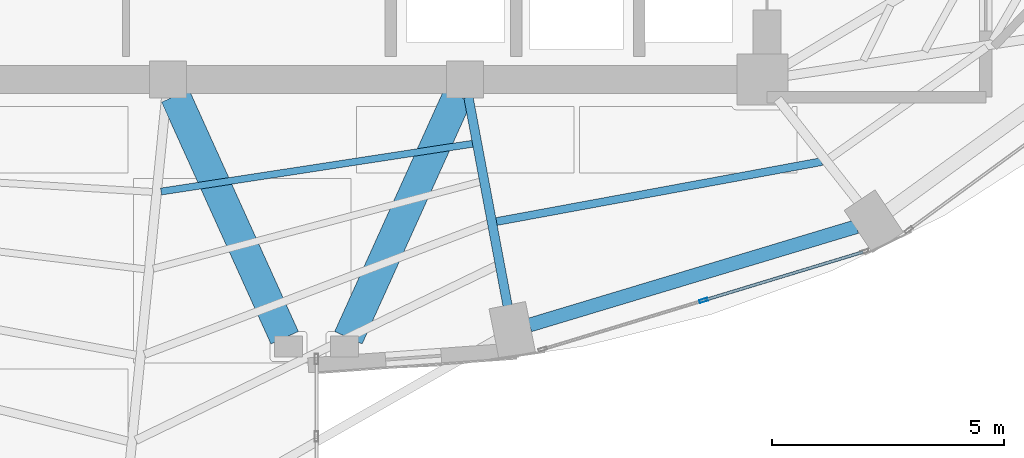
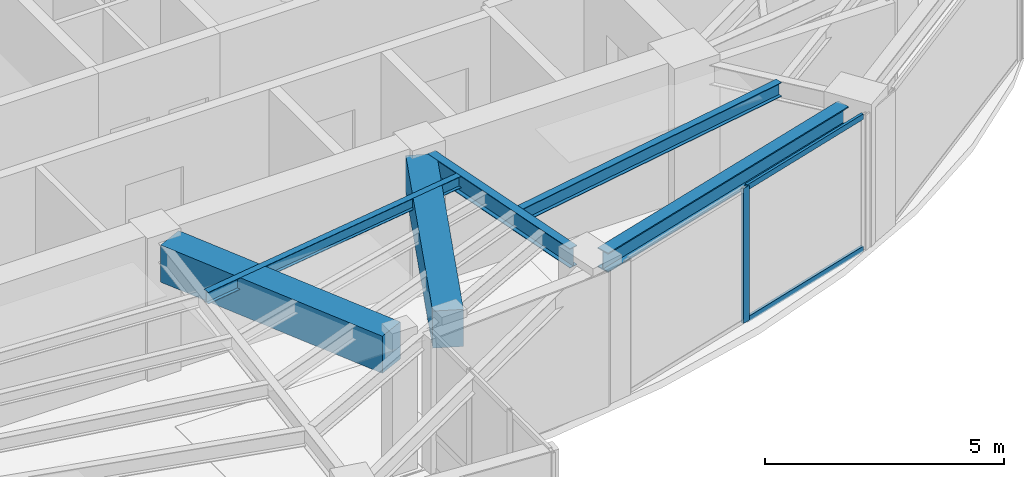
# One storey, part 7 of 23: 6 beams, 3 members, 1 element without a shape of its own.
"""IFC4 building model written with IfcOpenShell, lengths in metres."""

from ifc_helpers import new_model, si_unit, direction, frame, origin, origin_2d, place, context, subcontext, project, spatial, rectangle, hollow_rectangle, i_section, extrude, material, layer, layer_set, material_profile, profile_set, type_object, element, aggregate, save


model = new_model("IFC4")

# Units and contexts
model_context = context("Model", 3, precision=1e-05, world=origin(), true_north=direction((0.0, 1.0)))
body_context = subcontext(model_context, "Body", "Model", "MODEL_VIEW")
ifc_project = project(units=[si_unit("LENGTHUNIT", "METRE"), si_unit("AREAUNIT", "SQUARE_METRE"), si_unit("VOLUMEUNIT", "CUBIC_METRE"), si_unit("PLANEANGLEUNIT", "RADIAN"), si_unit("MASSUNIT", "GRAM", prefix="KILO")], contexts=[model_context])

# Site, building, storey
site_placement = place(None, origin())
site = spatial("IfcSite", under=ifc_project, at=site_placement, CompositionType="ELEMENT")
building_placement = place(site_placement, origin())
building = spatial("IfcBuilding", under=site, at=building_placement, Name="Lazwardi Medical Tower", CompositionType="ELEMENT")
storey_placement = place(building_placement, frame((0.0, 0.0, 209.424072265625)))
storey = spatial("IfcBuildingStorey", under=building, at=storey_placement, Name="L54", CompositionType="ELEMENT", Elevation=209.424072265625)

# Beams
ifc_material_1 = material(Name="Concrete C60/75", Category="concrete")
ifc_material_profile_1 = material_profile(ifc_material_1, rectangle(XDim=0.64990234375, YDim=0.949951171875, at=origin_2d()), Name="RC 650x950")
ifc_profile_set_1 = profile_set([ifc_material_profile_1], Name="Concrete C60/75")
beam_type_1 = type_object("IfcBeamType", Name="BM-CB-RC2", PredefinedType="LINTEL", material=ifc_profile_set_1)
for number, where, z_axis, x_axis, name in (
    (1, (32.95849609375, 20.04931640625, 2.972900390625), (0.412019279944, -0.911175127489, 0.0), (0.911175127489, 0.412019279944, 0.0), "Core coupling lintel CB-02 PL3 L54"),
    (2, (39.04150390625, 20.04931640625, 2.972900390625), (-0.412019279944, -0.911175127489, 0.0), (0.911175127489, -0.412019279944, 0.0), "Core coupling lintel CB-02 PL4 L54"),
):
    element("IfcBeam", number, at=place(storey_placement, frame(where, z_axis=z_axis, x_axis=x_axis)), inside=storey, type_object=beam_type_1, Name=name, PredefinedType="LINTEL", context=body_context, shape_type="SweptSolid", body=[
        extrude(rectangle(XDim=0.64990234375, YDim=0.949951171875, at=origin_2d()), origin(), (0.0, 0.0, 1.0), 5.7158203125),
    ])
ifc_material_2 = material(Name="Steel S355", Category="steel")
ifc_material_profile_2 = material_profile(ifc_material_2, i_section(OverallWidth=0.300048828125, OverallDepth=0.5, WebThickness=0.014404296875, FlangeThickness=0.028076171875, at=origin_2d()), Name="HEB 500")
ifc_profile_set_2 = profile_set([ifc_material_profile_2], Name="Steel S355")
beam_type_2 = type_object("IfcBeamType", Name="BM-RB-Z4", PredefinedType="BEAM", material=ifc_profile_set_2)
beam_1_placement = place(storey_placement, frame((40.58740234375, 15.114013671875, 3.197998046875), z_axis=(0.957544311906, 0.288286126506, 0.0), x_axis=(-0.288286126506, 0.957544311906, 0.0)))
element("IfcBeam", 3, at=beam_1_placement, inside=storey, type_object=beam_type_2, Name="Ring beam RB-05 B01 L54", PredefinedType="BEAM", context=body_context, shape_type="SweptSolid", body=[
    extrude(i_section(OverallWidth=0.300048828125, OverallDepth=0.5, WebThickness=0.014404296875, FlangeThickness=0.028076171875, at=origin_2d()), origin(), (0.0, 0.0, 1.0), 7.3515625),
])
ifc_material_profile_3 = material_profile(ifc_material_2, i_section(OverallWidth=0.199951171875, OverallDepth=0.5, WebThickness=0.01025390625, FlangeThickness=0.01611328125, at=origin_2d()), Name="IPE 500")
ifc_profile_set_3 = profile_set([ifc_material_profile_3], Name="Steel S355")
beam_type_3 = type_object("IfcBeamType", Name="BM-RG-W3", PredefinedType="BEAM", material=ifc_profile_set_3)
beam_2_placement = place(storey_placement, frame((40.115234375, 15.527587890625, 3.197998046875), z_axis=(-0.184633463507, 0.982807450192, 0.0), x_axis=(-0.982807450192, -0.184633463507, 0.0)))
element("IfcBeam", 4, at=beam_2_placement, inside=storey, type_object=beam_type_3, Name="Radial girder RG-04 R01 L54", PredefinedType="BEAM", context=body_context, shape_type="SweptSolid", body=[
    extrude(i_section(OverallWidth=0.199951171875, OverallDepth=0.5, WebThickness=0.01025390625, FlangeThickness=0.01611328125, at=origin_2d()), origin(), (0.0, 0.0, 1.0), 4.572509765625),
])
ifc_material_profile_4 = material_profile(ifc_material_2, i_section(OverallWidth=0.169921875, OverallDepth=0.360107421875, WebThickness=0.008056640625, FlangeThickness=0.0126953125, at=origin_2d()), Name="IPE 360")
ifc_profile_set_4 = profile_set([ifc_material_profile_4], Name="Steel S355")
beam_type_4 = type_object("IfcBeamType", Name="BM-SJ-02", PredefinedType="JOIST", material=ifc_profile_set_4)
beam_3_placement = place(storey_placement, frame((39.87109375, 17.34228515625, 3.267822265625), z_axis=(0.983427965623, 0.181299300688, 0.0), x_axis=(-0.181299300688, 0.983427965623, 0.0)))
element("IfcBeam", 5, at=beam_3_placement, inside=storey, type_object=beam_type_4, Name="Secondary joist SJ-02 R2 B01 L54", PredefinedType="JOIST", context=body_context, shape_type="SweptSolid", body=[
    extrude(i_section(OverallWidth=0.169921875, OverallDepth=0.360107421875, WebThickness=0.008056640625, FlangeThickness=0.0126953125, at=origin_2d()), origin(), (0.0, 0.0, 1.0), 7.127685546875),
])
ifc_material_profile_5 = material_profile(ifc_material_2, i_section(OverallWidth=0.14990234375, OverallDepth=0.300048828125, WebThickness=0.007080078125, FlangeThickness=0.0107421875, at=origin_2d()), Name="IPE 300")
ifc_profile_set_5 = profile_set([ifc_material_profile_5], Name="Steel S355")
beam_type_5 = type_object("IfcBeamType", Name="BM-SJ-03", PredefinedType="JOIST", material=ifc_profile_set_5)
beam_4_placement = place(storey_placement, frame((32.652587890625, 17.989013671875, 3.2978515625), z_axis=(0.988433562862, 0.151654514629, 0.0), x_axis=(-0.151654514629, 0.988433562862, 0.0)))
element("IfcBeam", 6, at=beam_4_placement, inside=storey, type_object=beam_type_5, Name="Secondary joist SJ-03 R4 B16 L54", PredefinedType="JOIST", context=body_context, shape_type="SweptSolid", body=[
    extrude(i_section(OverallWidth=0.14990234375, OverallDepth=0.300048828125, WebThickness=0.007080078125, FlangeThickness=0.0107421875, at=origin_2d()), origin(), (0.0, 0.0, 1.0), 6.788818359375),
])

# Curtain wall, members
ifc_material_3 = material(Name="Anodised bronze aluminium and solar control glazing", Category="aluminium")
ifc_layer = layer(ifc_material_3, 0.18994140625)
ifc_layer_set = layer_set([ifc_layer], Name="Anodised bronze aluminium and solar control glazing")
curtain_wall_type = type_object("IfcCurtainWallType", Name="CW-SYS-04", PredefinedType="NOTDEFINED", material=ifc_layer_set)
curtain_wall_placement = place(storey_placement, origin())
curtain_wall = element("IfcCurtainWall", 7, at=curtain_wall_placement, inside=storey, type_object=curtain_wall_type, Name="L54 Unitised bronze curtain wall CW-04", PredefinedType="NOTDEFINED")
ifc_material_4 = material(Name="Anodised bronze aluminium", Category="aluminium")
ifc_material_profile_6 = material_profile(ifc_material_4, hollow_rectangle(XDim=0.06494140625, YDim=0.179931640625, WallThickness=0.00390625, at=origin_2d()), Name="ALU-MULLION 180x65x4")
ifc_profile_set_6 = profile_set([ifc_material_profile_6], Name="Anodised bronze aluminium")
member_type_1 = type_object("IfcMemberType", Name="CW-MUL-03", PredefinedType="MULLION", material=ifc_profile_set_6)
member_1_placement = place(storey_placement, frame((44.33642578125, 15.644775390625, 0.0), z_axis=(0.0, 0.0, 1.0), x_axis=(-0.290581889515, 0.956850126972, 0.0)))
member_1 = element("IfcMember", 8, at=member_1_placement, type_object=member_type_1, Name="CW-04 mullion 2", PredefinedType="MULLION", context=body_context, shape_type="SweptSolid", body=[
    extrude(hollow_rectangle(XDim=0.06494140625, YDim=0.179931640625, WallThickness=0.00390625, at=origin_2d()), origin(), (0.0, 0.0, 1.0), 3.447998046875),
])
ifc_material_profile_7 = material_profile(ifc_material_4, hollow_rectangle(XDim=0.06494140625, YDim=0.139892578125, WallThickness=0.00341796875, at=origin_2d()), Name="ALU-TRANSOM 140x65x3.5")
ifc_profile_set_7 = profile_set([ifc_material_profile_7], Name="Anodised bronze aluminium")
member_type_2 = type_object("IfcMemberType", Name="CW-TRN-03", PredefinedType="USERDEFINED", material=ifc_profile_set_7)
member_2_placement = place(storey_placement, frame((44.367431640625, 15.654052734375, 0.032470703125), z_axis=(0.956843409009, 0.290604010015, 0.0), x_axis=(-0.290604010015, 0.956843409009, 0.0)))
member_2 = element("IfcMember", 9, at=member_2_placement, type_object=member_type_2, Name="CW-04 transom 2.1", ObjectType="TRANSOM", PredefinedType="USERDEFINED", context=body_context, shape_type="SweptSolid", body=[
    extrude(hollow_rectangle(XDim=0.06494140625, YDim=0.139892578125, WallThickness=0.00341796875, at=origin_2d()), origin(), (0.0, 0.0, 1.0), 3.554443359375),
])
member_3_placement = place(storey_placement, frame((44.367431640625, 15.654052734375, 3.41552734375), z_axis=(0.956843409009, 0.290604010015, 0.0), x_axis=(-0.290604010015, 0.956843409009, 0.0)))
member_3 = element("IfcMember", 10, at=member_3_placement, type_object=member_type_2, Name="CW-04 transom 2.2", ObjectType="TRANSOM", PredefinedType="USERDEFINED", context=body_context, shape_type="SweptSolid", body=[
    extrude(hollow_rectangle(XDim=0.06494140625, YDim=0.139892578125, WallThickness=0.00341796875, at=origin_2d()), origin(), (0.0, 0.0, 1.0), 3.554443359375),
])
aggregate(curtain_wall, [member_1, member_2, member_3])

save(model, "model.ifc")
